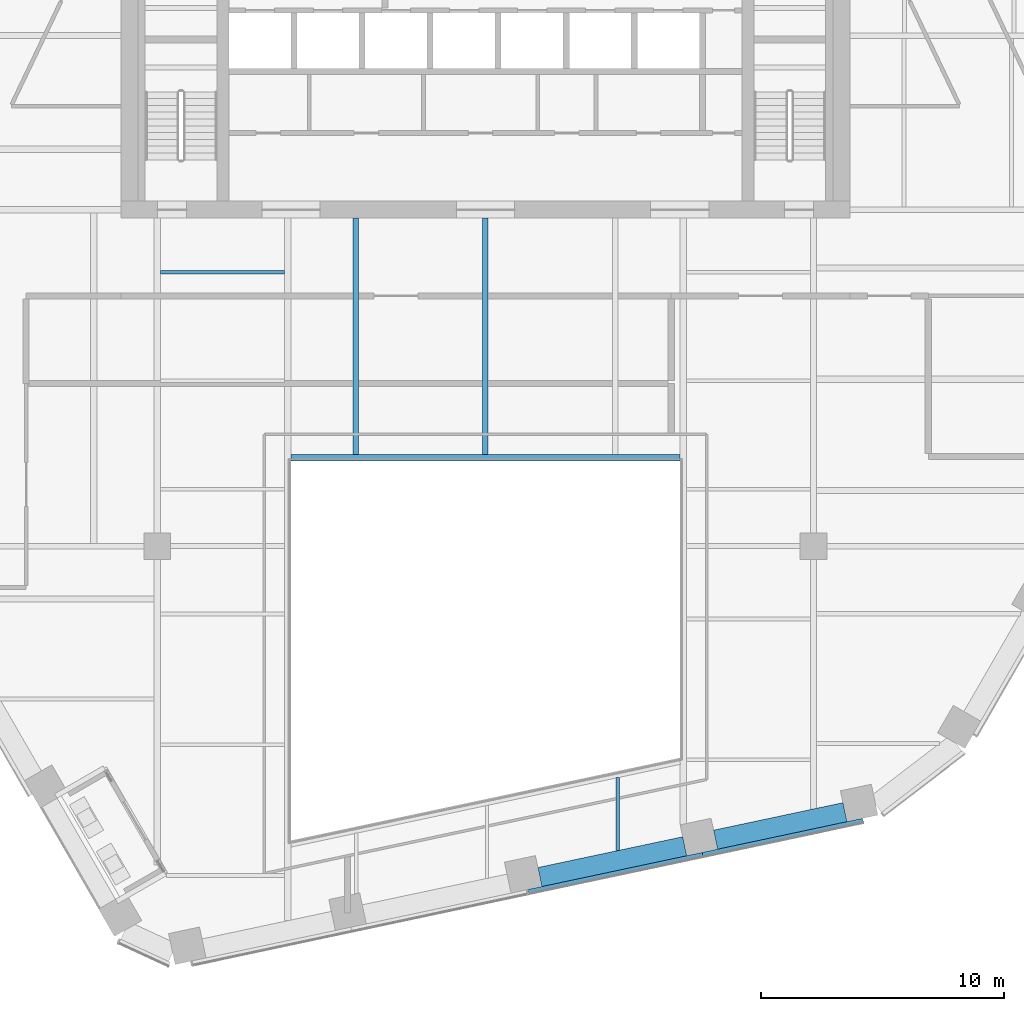
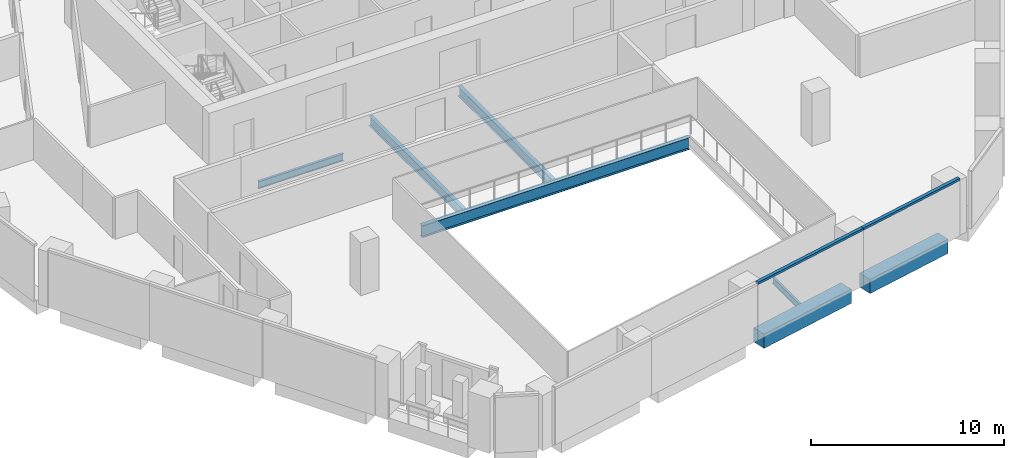
# One storey, part 5 of 26: 7 beams, 2 members, 1 element without a shape of its own.
"""IFC4 building model written with IfcOpenShell, lengths in metres."""

from ifc_helpers import new_model, si_unit, direction, frame, origin, origin_2d, place, context, subcontext, project, spatial, rectangle, i_section, extrude, material, layer, layer_set, material_profile, profile_set, type_object, element, aggregate, save


model = new_model("IFC4")

# Units and contexts
model_context = context("Model", 3, precision=1e-05, world=origin(), true_north=direction((0.0, 1.0)))
body_context = subcontext(model_context, "Body", "Model", "MODEL_VIEW")
ifc_project = project(units=[si_unit("LENGTHUNIT", "METRE"), si_unit("AREAUNIT", "SQUARE_METRE"), si_unit("VOLUMEUNIT", "CUBIC_METRE"), si_unit("PLANEANGLEUNIT", "RADIAN"), si_unit("MASSUNIT", "GRAM", prefix="KILO")], contexts=[model_context])

# Site, building, storey
site_placement = place(None, origin())
site = spatial("IfcSite", under=ifc_project, at=site_placement, CompositionType="ELEMENT")
building_placement = place(site_placement, origin())
building = spatial("IfcBuilding", under=site, at=building_placement, Name="Isthmus Gate Tower", CompositionType="ELEMENT")
storey_placement = place(building_placement, frame((0.0, 0.0, 203.64990234375)))
storey = spatial("IfcBuildingStorey", under=building, at=storey_placement, Name="L51", CompositionType="ELEMENT", Elevation=203.64990234375)

# Curtain wall, members
ifc_material_1 = material(Name="Aluminium, pale champagne anodised", Category="aluminium")
ifc_layer = layer(ifc_material_1, 0.199951171875)
ifc_layer_set = layer_set([ifc_layer], Name="CW-1 UNITISED CURTAIN WALL 200 DEEP")
curtain_wall_type = type_object("IfcCurtainWallType", Name="CW-1 UNITISED CURTAIN WALL 200 DEEP", PredefinedType="NOTDEFINED", material=ifc_layer_set)
curtain_wall_placement = place(storey_placement, origin())
curtain_wall = element("IfcCurtainWall", 1, at=curtain_wall_placement, inside=storey, type_object=curtain_wall_type, Name="CW-1 S L51", PredefinedType="NOTDEFINED")
ifc_material_2 = material(Name="Aluminium, pale champagne anodised", Category="aluminium")
ifc_material_profile_1 = material_profile(ifc_material_2, rectangle(XDim=0.199951171875, YDim=0.139892578125, at=origin_2d()), Name="200x140")
ifc_profile_set_1 = profile_set([ifc_material_profile_1], Name="Aluminium, pale champagne anodised")
member_type = type_object("IfcMemberType", Name="CW-1 TRANSOM 200 X 140", PredefinedType="USERDEFINED", material=ifc_profile_set_1)
member_1_placement = place(storey_placement, frame((1.76953125, -27.72607421875, 3.580078125), z_axis=(0.978146152746, 0.207918502948, 0.0), x_axis=(-0.207918502948, 0.978146152746, 0.0)))
member_1 = element("IfcMember", 2, at=member_1_placement, type_object=member_type, Name="CW-1 transom", ObjectType="TRANSOM", PredefinedType="USERDEFINED", context=body_context, shape_type="SweptSolid", body=[
    extrude(rectangle(XDim=0.199951171875, YDim=0.139892578125, at=origin_2d()), origin(), (0.0, 0.0, 1.0), 7.33056640625),
])
member_2_placement = place(storey_placement, frame((8.93994140625, -26.201904296875, 3.580078125), z_axis=(0.978151394347, 0.207893842469, 0.0), x_axis=(-0.207893842469, 0.978151394347, 0.0)))
member_2 = element("IfcMember", 3, at=member_2_placement, type_object=member_type, Name="CW-1 transom", ObjectType="TRANSOM", PredefinedType="USERDEFINED", context=body_context, shape_type="SweptSolid", body=[
    extrude(rectangle(XDim=0.199951171875, YDim=0.139892578125, at=origin_2d()), origin(), (0.0, 0.0, 1.0), 6.74072265625),
])
aggregate(curtain_wall, [member_1, member_2])

# Beams
ifc_material_3 = material(Name="Concrete f'c 60 MPa", Category="concrete")
ifc_material_profile_2 = material_profile(ifc_material_3, rectangle(XDim=0.800048828125, YDim=0.89990234375, at=origin_2d()), Name="RC 800X900")
ifc_profile_set_2 = profile_set([ifc_material_profile_2], Name="Concrete f'c 60 MPa")
beam_type_1 = type_object("IfcBeamType", Name="RC SPANDREL 800 X 900", PredefinedType="SPANDREL", material=ifc_profile_set_2)
beam_1_placement = place(storey_placement, frame((14.793701171875, -24.446533203125, -0.449951171875), z_axis=(-0.978150410773, -0.207898470186, 0.0), x_axis=(0.207898470186, -0.978150410773, 0.0)))
element("IfcBeam", 4, at=beam_1_placement, inside=storey, type_object=beam_type_1, Name="str-spandrel-L51-11", PredefinedType="SPANDREL", context=body_context, shape_type="SweptSolid", body=[
    extrude(rectangle(XDim=0.800048828125, YDim=0.89990234375, at=origin_2d()), origin(), (0.0, 0.0, 1.0), 5.440673828125),
])
beam_2_placement = place(storey_placement, frame((8.2001953125, -25.84814453125, -0.449951171875), z_axis=(-0.978146012851, -0.207919161079, 0.0), x_axis=(0.207919161079, -0.978146012851, 0.0)))
element("IfcBeam", 5, at=beam_2_placement, inside=storey, type_object=beam_type_1, Name="str-spandrel-L51-12", PredefinedType="SPANDREL", context=body_context, shape_type="SweptSolid", body=[
    extrude(rectangle(XDim=0.800048828125, YDim=0.89990234375, at=origin_2d()), origin(), (0.0, 0.0, 1.0), 6.090576171875),
])
ifc_material_4 = material(Name="Structural steel ASTM A992 Gr 50", Category="steel")
ifc_material_profile_3 = material_profile(ifc_material_4, i_section(OverallWidth=0.1396484375, OverallDepth=0.4033203125, WebThickness=0.00634765625, FlangeThickness=0.010986328125, at=origin_2d()), Name="W16X31")
ifc_profile_set_3 = profile_set([ifc_material_profile_3], Name="Structural steel ASTM A992 Gr 50")
beam_type_2 = type_object("IfcBeamType", Name="STEEL FLOOR BEAM W16X31", PredefinedType="JOIST", material=ifc_profile_set_3)
beam_3_placement = place(storey_placement, frame((5.443115234375, -26.025146484375, -0.3515625), z_axis=(0.0, 1.0, 0.0), x_axis=(-1.0, 0.0, 0.0)))
element("IfcBeam", 6, at=beam_3_placement, inside=storey, type_object=beam_type_2, Name="str-beam-L51-10-02", PredefinedType="JOIST", context=body_context, shape_type="SweptSolid", body=[
    extrude(i_section(OverallWidth=0.1396484375, OverallDepth=0.4033203125, WebThickness=0.00634765625, FlangeThickness=0.010986328125, at=origin_2d()), origin(), (0.0, 0.0, 1.0), 2.998779296875),
])
ifc_material_5 = material(Name="Structural steel ASTM A992 Gr 50", Category="steel")
ifc_material_profile_4 = material_profile(ifc_material_5, i_section(OverallWidth=0.15234375, OverallDepth=0.45068359375, WebThickness=0.0078125, FlangeThickness=0.010986328125, at=origin_2d()), Name="W18X35")
ifc_profile_set_4 = profile_set([ifc_material_profile_4], Name="Structural steel ASTM A992 Gr 50")
beam_type_3 = type_object("IfcBeamType", Name="STEEL FLOOR BEAM W18X35", PredefinedType="JOIST", material=ifc_profile_set_4)
beam_4_placement = place(storey_placement, frame((-13.3681640625, -2.232421875, -0.375244140625), z_axis=(1.0, 0.0, 0.0), x_axis=(0.0, 1.0, 0.0)))
element("IfcBeam", 7, at=beam_4_placement, inside=storey, type_object=beam_type_3, Name="str-beam-L51-07-02", PredefinedType="JOIST", context=body_context, shape_type="SweptSolid", body=[
    extrude(i_section(OverallWidth=0.15234375, OverallDepth=0.45068359375, WebThickness=0.0078125, FlangeThickness=0.010986328125, at=origin_2d()), origin(), (0.0, 0.0, 1.0), 5.1015625),
])
ifc_material_6 = material(Name="Structural steel ASTM A992 Gr 50", Category="steel")
ifc_material_profile_5 = material_profile(ifc_material_6, i_section(OverallWidth=0.228515625, OverallDepth=0.603271484375, WebThickness=0.010986328125, FlangeThickness=0.014404296875, at=origin_2d()), Name="W24X68")
ifc_profile_set_5 = profile_set([ifc_material_profile_5], Name="Structural steel ASTM A992 Gr 50")
beam_type_4 = type_object("IfcBeamType", Name="STEEL FLOOR BEAM W24X68", PredefinedType="JOIST", material=ifc_profile_set_5)
for number, where, z_axis, x_axis, name in (
    (8, (-5.333251953125, -9.7333984375, -0.451416015625), (0.0, 1.0, 0.0), (-1.0, 0.0, 0.0), "str-beam-L51-09-00"),
    (9, (0.0, -9.7333984375, -0.451416015625), (0.0, 1.0, 0.0), (-1.0, 0.0, 0.0), "str-beam-L51-09-01"),
):
    element("IfcBeam", number, at=place(storey_placement, frame(where, z_axis=z_axis, x_axis=x_axis)), inside=storey, type_object=beam_type_4, Name=name, PredefinedType="JOIST", context=body_context, shape_type="SweptSolid", body=[
        extrude(i_section(OverallWidth=0.228515625, OverallDepth=0.603271484375, WebThickness=0.010986328125, FlangeThickness=0.014404296875, at=origin_2d()), origin(), (0.0, 0.0, 1.0), 9.7333984375),
    ])
ifc_material_7 = material(Name="Structural steel ASTM A992 Gr 50", Category="steel")
ifc_material_profile_6 = material_profile(ifc_material_7, i_section(OverallWidth=0.2666015625, OverallDepth=0.7587890625, WebThickness=0.014404296875, FlangeThickness=0.01904296875, at=origin_2d()), Name="W30X108")
ifc_profile_set_6 = profile_set([ifc_material_profile_6], Name="Structural steel ASTM A992 Gr 50")
beam_type_5 = type_object("IfcBeamType", Name="STEEL TRIMMER W30X108", PredefinedType="BEAM", material=ifc_profile_set_6)
beam_5_placement = place(storey_placement, frame((8.0, -9.86669921875, -0.529296875), z_axis=(-1.0, 0.0, 0.0), x_axis=(0.0, -1.0, 0.0)))
element("IfcBeam", 10, at=beam_5_placement, inside=storey, type_object=beam_type_5, Name="str-trimmer-L51-04", PredefinedType="BEAM", context=body_context, shape_type="SweptSolid", body=[
    extrude(i_section(OverallWidth=0.2666015625, OverallDepth=0.7587890625, WebThickness=0.014404296875, FlangeThickness=0.01904296875, at=origin_2d()), origin(), (0.0, 0.0, 1.0), 16.0),
])

save(model, "model.ifc")
